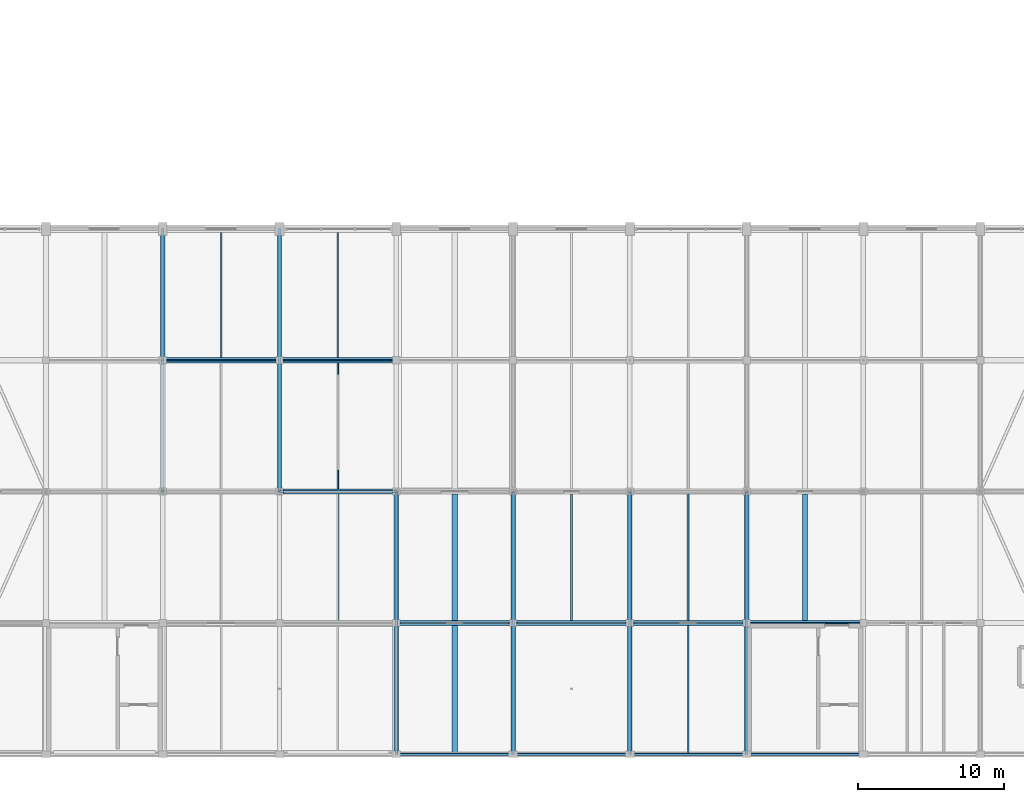
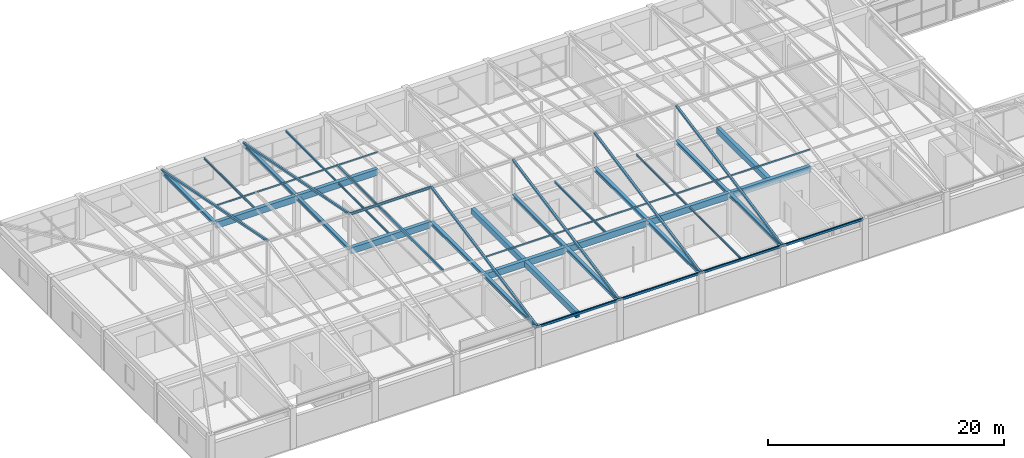
# One storey, part 13 of 65: 32 beams, 13 members.
"""IFC4 building model written with IfcOpenShell, lengths in metres."""

from ifc_helpers import new_model, si_unit, direction, frame, origin, origin_2d, place, context, subcontext, project, spatial, rectangle, hollow_rectangle, i_section, extrude, material, material_profile, profile_set, type_object, element, save


model = new_model("IFC4")

# Units and contexts
model_context = context("Model", 3, precision=1e-05, world=origin(), true_north=direction((0.0, 1.0)))
body_context = subcontext(model_context, "Body", "Model", "MODEL_VIEW")
ifc_project = project(units=[si_unit("LENGTHUNIT", "METRE"), si_unit("AREAUNIT", "SQUARE_METRE"), si_unit("VOLUMEUNIT", "CUBIC_METRE"), si_unit("PLANEANGLEUNIT", "RADIAN"), si_unit("MASSUNIT", "GRAM", prefix="KILO")], contexts=[model_context])

# Site, building, storey
site_placement = place(None, origin())
site = spatial("IfcSite", under=ifc_project, at=site_placement, CompositionType="ELEMENT")
building_placement = place(site_placement, origin())
building = spatial("IfcBuilding", under=site, at=building_placement, Name="Varnabhumi Central Station", CompositionType="ELEMENT")
storey_placement = place(building_placement, frame((0.0, 0.0, 24.60009765625)))
storey = spatial("IfcBuildingStorey", under=building, at=storey_placement, Name="L05", CompositionType="ELEMENT", Elevation=24.60009765625)

# Beams
ifc_material_1 = material(Name="Structural steel E350", Category="steel")
ifc_material_profile_1 = material_profile(ifc_material_1, hollow_rectangle(XDim=0.14990234375, YDim=0.25, WallThickness=0.010009765625, InnerFilletRadius=0.010009765625, OuterFilletRadius=0.02001953125, at=origin_2d()), Name="Structural steel E350", Category="steel")
ifc_profile_set_1 = profile_set([ifc_material_profile_1], Name="Structural steel E350")
beam_type_1 = type_object("IfcBeamType", Name="BM-EDGE-RHS250", PredefinedType="SPANDREL", material=ifc_profile_set_1)
for number, where, z_axis, x_axis, name in (
    (1, (64.10009765625, 0.0, 4.074951171875), (1.0, 0.0, 0.0), (0.0, 1.0, 0.0), "Beam L05-A:9-10"),
    (2, (72.10009765625, 0.0, 4.074951171875), (1.0, 0.0, 0.0), (0.0, 1.0, 0.0), "Beam L05-A:10-11"),
    (3, (80.10009765625, 0.0, 4.074951171875), (1.0, 0.0, 0.0), (0.0, 1.0, 0.0), "Beam L05-A:11-12"),
    (4, (88.10009765625, 0.0, 4.074951171875), (1.0, 0.0, 0.0), (0.0, 1.0, 0.0), "Beam L05-A:12-13"),
):
    element("IfcBeam", number, at=place(storey_placement, frame(where, z_axis=z_axis, x_axis=x_axis)), inside=storey, type_object=beam_type_1, Name=name, PredefinedType="SPANDREL", context=body_context, shape_type="SweptSolid", body=[
        extrude(hollow_rectangle(XDim=0.14990234375, YDim=0.25, WallThickness=0.010009765625, InnerFilletRadius=0.010009765625, OuterFilletRadius=0.02001953125, at=origin_2d()), origin(), (0.0, 0.0, 1.0), 7.7998046875),
    ])
ifc_material_profile_2 = material_profile(ifc_material_1, i_section(OverallWidth=0.125, OverallDepth=0.25, WebThickness=0.0068359375, FlangeThickness=0.012451171875, FilletRadius=0.012939453125, at=origin_2d()), Name="Structural steel E350", Category="steel")
ifc_profile_set_2 = profile_set([ifc_material_profile_2], Name="Structural steel E350")
beam_type_2 = type_object("IfcBeamType", Name="BM-PUR-ISMB250", PredefinedType="JOIST", material=ifc_profile_set_2)
beam_1_placement = place(storey_placement, frame((56.0, 18.0, 7.6298828125), z_axis=(1.0, 0.0, 0.0), x_axis=(0.0, 1.0, 0.0)))
element("IfcBeam", 5, at=beam_1_placement, inside=storey, type_object=beam_type_2, Name="Mission Roof Ridge Beam SW6E-4", PredefinedType="JOIST", context=body_context, shape_type="SweptSolid", body=[
    extrude(i_section(OverallWidth=0.125, OverallDepth=0.25, WebThickness=0.0068359375, FlangeThickness=0.012451171875, FilletRadius=0.012939453125, at=origin_2d()), origin(), (0.0, 0.0, 1.0), 8.0),
])
ifc_material_2 = material(Name="Concrete M40", Category="concrete")
ifc_material_profile_3 = material_profile(ifc_material_2, rectangle(XDim=0.35009765625, YDim=0.64990234375, at=origin_2d()), Name="Concrete M40", Category="concrete")
ifc_profile_set_3 = profile_set([ifc_material_profile_3], Name="Concrete M40")
beam_type_3 = type_object("IfcBeamType", Name="BM-RC-350x650", PredefinedType="BEAM", material=ifc_profile_set_3)
for number, where, z_axis, x_axis, name in (
    (6, (48.10009765625, 27.0, 3.875), (1.0, 0.0, 0.0), (0.0, 1.0, 0.0), "Beam L05-D:7-8"),
    (7, (56.10009765625, 18.0, 3.875), (1.0, 0.0, 0.0), (0.0, 1.0, 0.0), "Beam L05-C:8-9"),
    (8, (56.10009765625, 27.0, 3.875), (1.0, 0.0, 0.0), (0.0, 1.0, 0.0), "Beam L05-D:8-9"),
    (9, (64.10009765625, 9.0, 3.875), (1.0, 0.0, 0.0), (0.0, 1.0, 0.0), "Beam L05-B:9-10"),
    (10, (72.10009765625, 9.0, 3.875), (1.0, 0.0, 0.0), (0.0, 1.0, 0.0), "Beam L05-B:10-11"),
    (11, (80.10009765625, 9.0, 3.875), (1.0, 0.0, 0.0), (0.0, 1.0, 0.0), "Beam L05-B:11-12"),
    (12, (88.10009765625, 9.0, 3.875), (1.0, 0.0, 0.0), (0.0, 1.0, 0.0), "Beam L05-B:12-13"),
):
    element("IfcBeam", number, at=place(storey_placement, frame(where, z_axis=z_axis, x_axis=x_axis)), inside=storey, type_object=beam_type_3, Name=name, PredefinedType="BEAM", context=body_context, shape_type="SweptSolid", body=[
        extrude(rectangle(XDim=0.35009765625, YDim=0.64990234375, at=origin_2d()), origin(), (0.0, 0.0, 1.0), 7.7998046875),
    ])
ifc_material_profile_4 = material_profile(ifc_material_2, rectangle(XDim=0.35009765625, YDim=0.60009765625, at=origin_2d()), Name="Concrete M40", Category="concrete")
ifc_profile_set_4 = profile_set([ifc_material_profile_4], Name="Concrete M40")
beam_type_4 = type_object("IfcBeamType", Name="BM-RC-600x350", PredefinedType="JOIST", material=ifc_profile_set_4)
beam_2_placement = place(storey_placement, frame((68.0, 0.074951171875, 3.89990234375), z_axis=(0.0, 1.0, 0.0), x_axis=(-1.0, 0.0, 0.0)))
element("IfcBeam", 13, at=beam_2_placement, inside=storey, type_object=beam_type_4, Name="Secondary Joist L05-9/10:A-B", PredefinedType="JOIST", context=body_context, shape_type="SweptSolid", body=[
    extrude(rectangle(XDim=0.35009765625, YDim=0.60009765625, at=origin_2d()), origin(), (0.0, 0.0, 1.0), 8.75),
])
for number, where, z_axis, x_axis, name in (
    (14, (68.0, 9.175048828125, 3.89990234375), (0.0, 1.0, 0.0), (-1.0, 0.0, 0.0), "Secondary Joist L05-9/10:B-C"),
    (15, (92.0, 9.175048828125, 3.89990234375), (0.0, 1.0, 0.0), (-1.0, 0.0, 0.0), "Secondary Joist L05-12/13:B-C"),
):
    element("IfcBeam", number, at=place(storey_placement, frame(where, z_axis=z_axis, x_axis=x_axis)), inside=storey, type_object=beam_type_4, Name=name, PredefinedType="JOIST", context=body_context, shape_type="SweptSolid", body=[
        extrude(rectangle(XDim=0.35009765625, YDim=0.60009765625, at=origin_2d()), origin(), (0.0, 0.0, 1.0), 8.64990234375),
    ])
ifc_material_profile_5 = material_profile(ifc_material_1, i_section(OverallWidth=0.10009765625, OverallDepth=0.199951171875, WebThickness=0.005615234375, FlangeThickness=0.0107421875, FilletRadius=0.010986328125, at=origin_2d()), Name="Structural steel E350", Category="steel")
ifc_profile_set_5 = profile_set([ifc_material_profile_5], Name="Structural steel E350")
beam_type_5 = type_object("IfcBeamType", Name="BM-STL-ISMB200", PredefinedType="JOIST", material=ifc_profile_set_5)
beam_3_placement = place(storey_placement, frame((84.0, 0.074951171875, 4.099853515625), z_axis=(0.0, 1.0, 0.0), x_axis=(-1.0, 0.0, 0.0)))
element("IfcBeam", 16, at=beam_3_placement, inside=storey, type_object=beam_type_5, Name="Secondary Joist L05-11/12:A-B", PredefinedType="JOIST", context=body_context, shape_type="SweptSolid", body=[
    extrude(i_section(OverallWidth=0.10009765625, OverallDepth=0.199951171875, WebThickness=0.005615234375, FlangeThickness=0.0107421875, FilletRadius=0.010986328125, at=origin_2d()), origin(), (0.0, 0.0, 1.0), 8.75),
])
for number, where, z_axis, x_axis, name in (
    (17, (84.0, 9.175048828125, 4.099853515625), (0.0, 1.0, 0.0), (-1.0, 0.0, 0.0), "Secondary Joist L05-11/12:B-C"),
    (18, (60.0, 18.175048828125, 4.099853515625), (0.0, 1.0, 0.0), (-1.0, 0.0, 0.0), "Secondary Joist L05-8/9:C-D"),
):
    element("IfcBeam", number, at=place(storey_placement, frame(where, z_axis=z_axis, x_axis=x_axis)), inside=storey, type_object=beam_type_5, Name=name, PredefinedType="JOIST", context=body_context, shape_type="SweptSolid", body=[
        extrude(i_section(OverallWidth=0.10009765625, OverallDepth=0.199951171875, WebThickness=0.005615234375, FlangeThickness=0.0107421875, FilletRadius=0.010986328125, at=origin_2d()), origin(), (0.0, 0.0, 1.0), 8.64990234375),
    ])
beam_4_placement = place(storey_placement, frame((60.0, 27.175048828125, 4.099853515625), z_axis=(0.0, 1.0, 0.0), x_axis=(-1.0, 0.0, 0.0)))
element("IfcBeam", 19, at=beam_4_placement, inside=storey, type_object=beam_type_5, Name="Secondary Joist L05-8/9:D-E", PredefinedType="JOIST", context=body_context, shape_type="SweptSolid", body=[
    extrude(i_section(OverallWidth=0.10009765625, OverallDepth=0.199951171875, WebThickness=0.005615234375, FlangeThickness=0.0107421875, FilletRadius=0.010986328125, at=origin_2d()), origin(), (0.0, 0.0, 1.0), 8.574951171875),
])
ifc_material_profile_6 = material_profile(ifc_material_1, i_section(OverallWidth=0.110107421875, OverallDepth=0.22509765625, WebThickness=0.006591796875, FlangeThickness=0.01171875, FilletRadius=0.011962890625, at=origin_2d()), Name="Structural steel E350", Category="steel")
ifc_profile_set_6 = profile_set([ifc_material_profile_6], Name="Structural steel E350")
beam_type_6 = type_object("IfcBeamType", Name="BM-STL-ISMB225", PredefinedType="JOIST", material=ifc_profile_set_6)
beam_5_placement = place(storey_placement, frame((76.0, 9.175048828125, 4.08740234375), z_axis=(0.0, 1.0, 0.0), x_axis=(-1.0, 0.0, 0.0)))
element("IfcBeam", 20, at=beam_5_placement, inside=storey, type_object=beam_type_6, Name="Secondary Joist L05-10/11:B-C", PredefinedType="JOIST", context=body_context, shape_type="SweptSolid", body=[
    extrude(i_section(OverallWidth=0.110107421875, OverallDepth=0.22509765625, WebThickness=0.006591796875, FlangeThickness=0.01171875, FilletRadius=0.011962890625, at=origin_2d()), origin(), (0.0, 0.0, 1.0), 8.64990234375),
])
beam_6_placement = place(storey_placement, frame((52.0, 27.175048828125, 4.08740234375), z_axis=(0.0, 1.0, 0.0), x_axis=(-1.0, 0.0, 0.0)))
element("IfcBeam", 21, at=beam_6_placement, inside=storey, type_object=beam_type_6, Name="Secondary Joist L05-7/8:D-E", PredefinedType="JOIST", context=body_context, shape_type="SweptSolid", body=[
    extrude(i_section(OverallWidth=0.110107421875, OverallDepth=0.22509765625, WebThickness=0.006591796875, FlangeThickness=0.01171875, FilletRadius=0.011962890625, at=origin_2d()), origin(), (0.0, 0.0, 1.0), 8.574951171875),
])
ifc_material_profile_7 = material_profile(ifc_material_1, i_section(OverallWidth=0.300048828125, OverallDepth=0.360107421875, WebThickness=0.012451171875, FlangeThickness=0.0224609375, FilletRadius=0.027099609375, at=origin_2d()), Name="Structural steel E350", Category="steel")
ifc_profile_set_7 = profile_set([ifc_material_profile_7], Name="Structural steel E350")
beam_type_7 = type_object("IfcBeamType", Name="BM-STL-WPB360", PredefinedType="BEAM", material=ifc_profile_set_7)
for number, where, z_axis, x_axis, name in (
    (22, (64.0, 0.10009765625, 4.02001953125), (0.0, 1.0, 0.0), (-1.0, 0.0, 0.0), "Beam L05-9:A-B"),
    (23, (72.0, 0.10009765625, 4.02001953125), (0.0, 1.0, 0.0), (-1.0, 0.0, 0.0), "Beam L05-10:A-B"),
    (24, (80.0, 0.10009765625, 4.02001953125), (0.0, 1.0, 0.0), (-1.0, 0.0, 0.0), "Beam L05-11:A-B"),
    (25, (88.0, 0.10009765625, 4.02001953125), (0.0, 1.0, 0.0), (-1.0, 0.0, 0.0), "Beam L05-12:A-B"),
    (26, (64.0, 9.10009765625, 4.02001953125), (0.0, 1.0, 0.0), (-1.0, 0.0, 0.0), "Beam L05-9:B-C"),
    (27, (72.0, 9.10009765625, 4.02001953125), (0.0, 1.0, 0.0), (-1.0, 0.0, 0.0), "Beam L05-10:B-C"),
    (28, (80.0, 9.10009765625, 4.02001953125), (0.0, 1.0, 0.0), (-1.0, 0.0, 0.0), "Beam L05-11:B-C"),
    (29, (88.0, 9.10009765625, 4.02001953125), (0.0, 1.0, 0.0), (-1.0, 0.0, 0.0), "Beam L05-12:B-C"),
    (30, (56.0, 18.10009765625, 4.02001953125), (0.0, 1.0, 0.0), (-1.0, 0.0, 0.0), "Beam L05-8:C-D"),
    (31, (48.0, 27.10009765625, 4.02001953125), (0.0, 1.0, 0.0), (-1.0, 0.0, 0.0), "Beam L05-7:D-E"),
    (32, (56.0, 27.10009765625, 4.02001953125), (0.0, 1.0, 0.0), (-1.0, 0.0, 0.0), "Beam L05-8:D-E"),
):
    element("IfcBeam", number, at=place(storey_placement, frame(where, z_axis=z_axis, x_axis=x_axis)), inside=storey, type_object=beam_type_7, Name=name, PredefinedType="BEAM", context=body_context, shape_type="SweptSolid", body=[
        extrude(i_section(OverallWidth=0.300048828125, OverallDepth=0.360107421875, WebThickness=0.012451171875, FlangeThickness=0.0224609375, FilletRadius=0.027099609375, at=origin_2d()), origin(), (0.0, 0.0, 1.0), 8.7998046875),
    ])

# Members
ifc_material_profile_8 = material_profile(ifc_material_1, hollow_rectangle(XDim=0.14990234375, YDim=0.25, WallThickness=0.010009765625, InnerFilletRadius=0.010009765625, OuterFilletRadius=0.02001953125, at=origin_2d()), Name="Structural steel E350", Category="steel")
ifc_profile_set_8 = profile_set([ifc_material_profile_8], Name="Structural steel E350")
member_type_1 = type_object("IfcMemberType", Name="MBR-COLLAR-RHS", PredefinedType="COLLAR", material=ifc_profile_set_8)
member_placement = place(storey_placement, frame((60.0, 9.0, 5.844970703125), z_axis=(0.0, 1.0, 0.0), x_axis=(-1.0, 0.0, 0.0)))
element("IfcMember", 33, at=member_placement, inside=storey, type_object=member_type_1, Name="Mission Roof Collar Tie SW6E-4", PredefinedType="COLLAR", context=body_context, shape_type="SweptSolid", body=[
    extrude(hollow_rectangle(XDim=0.14990234375, YDim=0.25, WallThickness=0.010009765625, InnerFilletRadius=0.010009765625, OuterFilletRadius=0.02001953125, at=origin_2d()), origin(), (0.0, 0.0, 1.0), 18.0),
])
ifc_material_profile_9 = material_profile(ifc_material_1, hollow_rectangle(XDim=0.074951171875, YDim=0.14990234375, WallThickness=0.006103515625, InnerFilletRadius=0.006103515625, OuterFilletRadius=0.011962890625, at=origin_2d()), Name="Structural steel E350", Category="steel")
ifc_profile_set_9 = profile_set([ifc_material_profile_9], Name="Structural steel E350")
member_type_2 = type_object("IfcMemberType", Name="MBR-PURL-RHS150", PredefinedType="PURLIN", material=ifc_profile_set_9)
for number, where, z_axis, x_axis, name in (
    (34, (48.0, 27.0, 5.824951171875), (1.0, 0.0, 0.0), (0.0, 1.0, 0.0), "Mission Roof Purlin SW6E-3-N"),
    (35, (56.0, 27.0, 5.824951171875), (1.0, 0.0, 0.0), (0.0, 1.0, 0.0), "Mission Roof Purlin SW6E-4-N"),
    (36, (64.0, 9.0, 5.824951171875), (1.0, 0.0, 0.0), (0.0, 1.0, 0.0), "Mission Roof Purlin SW6E-5-S"),
    (37, (72.0, 9.0, 5.824951171875), (1.0, 0.0, 0.0), (0.0, 1.0, 0.0), "Mission Roof Purlin SW6E-6-S"),
    (38, (80.0, 9.0, 5.824951171875), (1.0, 0.0, 0.0), (0.0, 1.0, 0.0), "Mission Roof Purlin SW6E-7-S"),
    (39, (88.0, 9.0, 5.824951171875), (1.0, 0.0, 0.0), (0.0, 1.0, 0.0), "Mission Roof Purlin SW6E-8-S"),
):
    element("IfcMember", number, at=place(storey_placement, frame(where, z_axis=z_axis, x_axis=x_axis)), inside=storey, type_object=member_type_2, Name=name, PredefinedType="PURLIN", context=body_context, shape_type="SweptSolid", body=[
        extrude(hollow_rectangle(XDim=0.074951171875, YDim=0.14990234375, WallThickness=0.006103515625, InnerFilletRadius=0.006103515625, OuterFilletRadius=0.011962890625, at=origin_2d()), origin(), (0.0, 0.0, 1.0), 8.0),
    ])
ifc_material_profile_10 = material_profile(ifc_material_1, hollow_rectangle(XDim=0.199951171875, YDim=0.199951171875, WallThickness=0.010009765625, InnerFilletRadius=0.010009765625, OuterFilletRadius=0.02001953125, at=origin_2d()), Name="Structural steel E350", Category="steel")
ifc_profile_set_10 = profile_set([ifc_material_profile_10], Name="Structural steel E350")
member_type_3 = type_object("IfcMemberType", Name="MBR-RAFT-SHS200", PredefinedType="RAFTER", material=ifc_profile_set_10)
for number, where, z_axis, x_axis, name in (
    (40, (48.0, 36.0, 4.10986328125), (0.0, -0.981100761594, 0.193497533832), (1.0, 0.0, 0.0), "Mission Roof North Rafter SW6E-3"),
    (41, (56.0, 36.0, 4.10986328125), (0.0, -0.981100761594, 0.193497533832), (1.0, 0.0, 0.0), "Mission Roof North Rafter SW6E-4"),
    (42, (64.0, 0.0, 4.10986328125), (0.0, 0.981100761594, 0.193497533832), (-1.0, 0.0, 0.0), "Mission Roof South Rafter SW6E-5"),
    (43, (72.0, 0.0, 4.10986328125), (0.0, 0.981100761594, 0.193497533832), (-1.0, 0.0, 0.0), "Mission Roof South Rafter SW6E-6"),
    (44, (80.0, 0.0, 4.10986328125), (0.0, 0.981100761594, 0.193497533832), (-1.0, 0.0, 0.0), "Mission Roof South Rafter SW6E-7"),
    (45, (88.0, 0.0, 4.10986328125), (0.0, 0.981100761594, 0.193497533832), (-1.0, 0.0, 0.0), "Mission Roof South Rafter SW6E-8"),
):
    element("IfcMember", number, at=place(storey_placement, frame(where, z_axis=z_axis, x_axis=x_axis)), inside=storey, type_object=member_type_3, Name=name, PredefinedType="RAFTER", context=body_context, shape_type="SweptSolid", body=[
        extrude(hollow_rectangle(XDim=0.199951171875, YDim=0.199951171875, WallThickness=0.010009765625, InnerFilletRadius=0.010009765625, OuterFilletRadius=0.02001953125, at=origin_2d()), origin(), (0.0, 0.0, 1.0), 18.3466796875),
    ])

save(model, "model.ifc")
